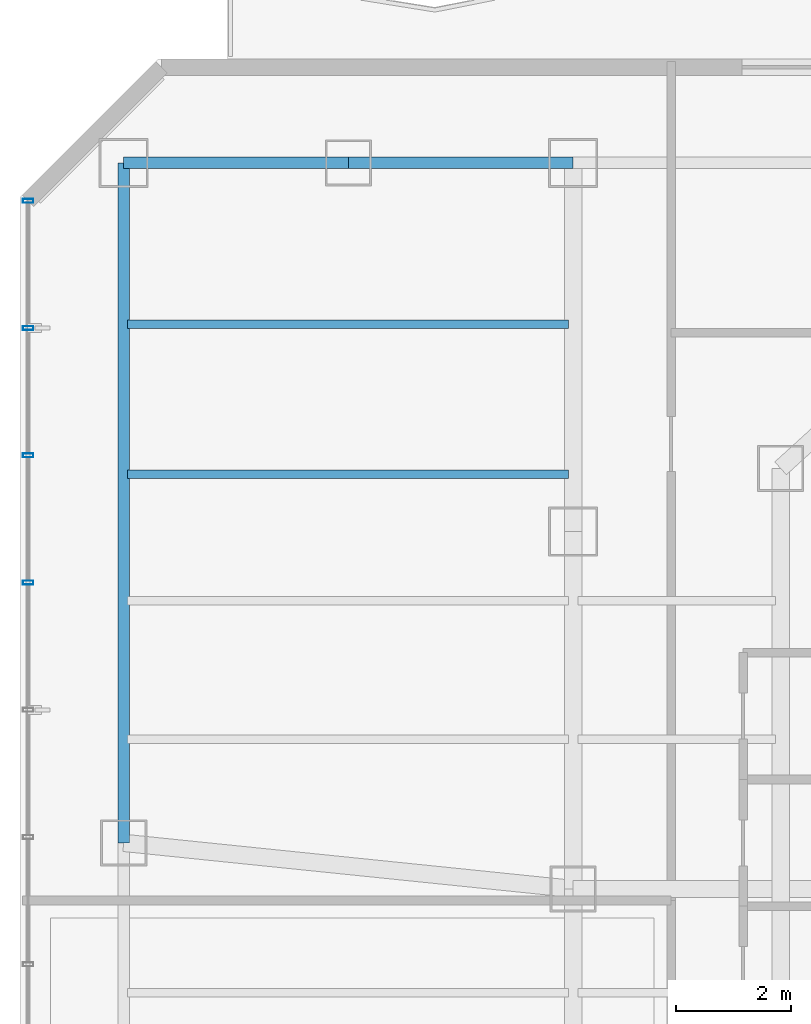
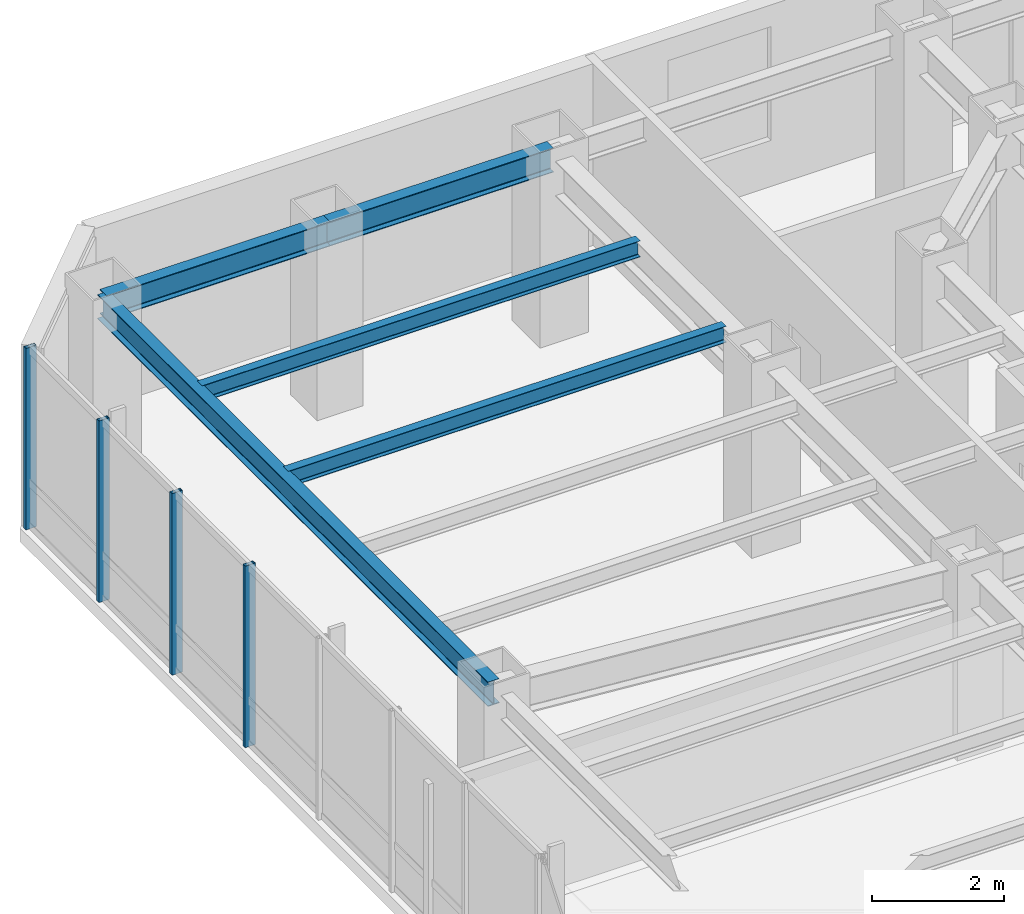
# One storey, part 17 of 28: 5 beams, 4 members, 1 element without a shape of its own.
"""IFC4 building model written with IfcOpenShell, lengths in metres."""

from ifc_helpers import new_model, si_unit, direction, frame, origin, origin_2d, place, context, subcontext, project, spatial, hollow_rectangle, i_section, extrude, material, layer, layer_set, material_profile, profile_set, type_object, element, aggregate, save


model = new_model("IFC4")

# Units and contexts
model_context = context("Model", 3, precision=1e-05, world=origin(), true_north=direction((0.0, 1.0)))
body_context = subcontext(model_context, "Body", "Model", "MODEL_VIEW")
ifc_project = project(units=[si_unit("LENGTHUNIT", "METRE"), si_unit("AREAUNIT", "SQUARE_METRE"), si_unit("VOLUMEUNIT", "CUBIC_METRE"), si_unit("PLANEANGLEUNIT", "RADIAN"), si_unit("MASSUNIT", "GRAM", prefix="KILO")], contexts=[model_context])

# Site, building, storey
site_placement = place(None, origin())
site = spatial("IfcSite", under=ifc_project, at=site_placement, CompositionType="ELEMENT")
building_placement = place(site_placement, origin())
building = spatial("IfcBuilding", under=site, at=building_placement, Name="Hatsunagi Terrace Concourse", CompositionType="ELEMENT")
storey_placement = place(building_placement, frame((0.0, 0.0, 138.449951171875)))
storey = spatial("IfcBuildingStorey", under=building, at=storey_placement, Name="L36", CompositionType="ELEMENT", Elevation=138.449951171875)

# Curtain wall, members
ifc_material_1 = material(Name="Anodised Aluminium Alloy 6063-T5", Category="aluminium")
ifc_layer = layer(ifc_material_1, 0.199951171875)
ifc_layer_set = layer_set([ifc_layer], Name="OfficeZone1_CW03")
curtain_wall_type = type_object("IfcCurtainWallType", Name="OfficeZone1_CW03", PredefinedType="NOTDEFINED", material=ifc_layer_set)
curtain_wall_placement = place(storey_placement, origin())
curtain_wall = element("IfcCurtainWall", 1, at=curtain_wall_placement, inside=storey, type_object=curtain_wall_type, Name="Unitised Curtain Wall CW-03 CW-L36-09", PredefinedType="NOTDEFINED")
ifc_material_2 = material(Name="Anodised Aluminium Alloy 6063-T5", Category="aluminium")
ifc_material_profile_1 = material_profile(ifc_material_2, hollow_rectangle(XDim=0.070068359375, YDim=0.179931640625, WallThickness=0.00390625, at=origin_2d()), Name="ALU-MUL-180x70x4")
ifc_profile_set_1 = profile_set([ifc_material_profile_1], Name="Anodised Aluminium Alloy 6063-T5")
member_type = type_object("IfcMemberType", Name="CurtainWallMullion_180x70", PredefinedType="MULLION", material=ifc_profile_set_1)
member_1_placement = place(storey_placement, frame((9.739990234375, 41.31689453125, 0.0), z_axis=(0.0, 0.0, 1.0), x_axis=(0.0, 1.0, 0.0)))
member_1 = element("IfcMember", 2, at=member_1_placement, type_object=member_type, Name="Curtain Wall Mullion MUL-02", PredefinedType="MULLION", context=body_context, shape_type="SweptSolid", body=[
    extrude(hollow_rectangle(XDim=0.070068359375, YDim=0.179931640625, WallThickness=0.00390625, at=origin_2d()), origin(), (0.0, 0.0, 1.0), 3.35009765625),
])
member_2_placement = place(storey_placement, frame((9.739990234375, 43.52490234375, 0.0), z_axis=(0.0, 0.0, 1.0), x_axis=(0.0, 1.0, 0.0)))
member_2 = element("IfcMember", 3, at=member_2_placement, type_object=member_type, Name="Curtain Wall Mullion MUL-02", PredefinedType="MULLION", context=body_context, shape_type="SweptSolid", body=[
    extrude(hollow_rectangle(XDim=0.070068359375, YDim=0.179931640625, WallThickness=0.00390625, at=origin_2d()), origin(), (0.0, 0.0, 1.0), 3.35009765625),
])
member_3_placement = place(storey_placement, frame((9.739990234375, 45.73388671875, 0.0), z_axis=(0.0, 0.0, 1.0), x_axis=(0.0, 1.0, 0.0)))
member_3 = element("IfcMember", 4, at=member_3_placement, type_object=member_type, Name="Curtain Wall Mullion MUL-02", PredefinedType="MULLION", context=body_context, shape_type="SweptSolid", body=[
    extrude(hollow_rectangle(XDim=0.070068359375, YDim=0.179931640625, WallThickness=0.00390625, at=origin_2d()), origin(), (0.0, 0.0, 1.0), 3.35009765625),
])
member_4_placement = place(storey_placement, frame((9.739990234375, 47.94189453125, 0.0), z_axis=(0.0, 0.0, 1.0), x_axis=(0.0, 1.0, 0.0)))
member_4 = element("IfcMember", 5, at=member_4_placement, type_object=member_type, Name="Curtain Wall Mullion MUL-02", PredefinedType="MULLION", context=body_context, shape_type="SweptSolid", body=[
    extrude(hollow_rectangle(XDim=0.070068359375, YDim=0.179931640625, WallThickness=0.00390625, at=origin_2d()), origin(), (0.0, 0.0, 1.0), 3.35009765625),
])
aggregate(curtain_wall, [member_1, member_2, member_3, member_4])

# Beams
ifc_material_3 = material(Name="Steel SN490B", Category="steel")
ifc_material_profile_2 = material_profile(ifc_material_3, i_section(OverallWidth=0.14990234375, OverallDepth=0.300048828125, WebThickness=0.006591796875, FlangeThickness=0.009033203125, FilletRadius=0.010986328125, at=origin_2d()), Name="H-300x150x6.5x9")
ifc_profile_set_2 = profile_set([ifc_material_profile_2], Name="Steel SN490B")
beam_type_1 = type_object("IfcBeamType", Name="OfficeJoist_H_300x150", PredefinedType="JOIST", material=ifc_profile_set_2)
for number, where, z_axis, x_axis, name in (
    (6, (11.465087890625, 43.199951171875, 3.199951171875), (1.0, 0.0, 0.0), (0.0, 1.0, 0.0), "Beam J-03 J-L36-W-11-432"),
    (7, (11.465087890625, 45.800048828125, 3.199951171875), (1.0, 0.0, 0.0), (0.0, 1.0, 0.0), "Beam J-03 J-L36-W-11-458"),
):
    element("IfcBeam", number, at=place(storey_placement, frame(where, z_axis=z_axis, x_axis=x_axis)), inside=storey, type_object=beam_type_1, Name=name, PredefinedType="JOIST", context=body_context, shape_type="SweptSolid", body=[
        extrude(i_section(OverallWidth=0.14990234375, OverallDepth=0.300048828125, WebThickness=0.006591796875, FlangeThickness=0.009033203125, FilletRadius=0.010986328125, at=origin_2d()), origin(), (0.0, 0.0, 1.0), 7.64990234375),
    ])
ifc_material_4 = material(Name="Steel SN490B", Category="steel")
ifc_material_profile_3 = material_profile(ifc_material_4, i_section(OverallWidth=0.199951171875, OverallDepth=0.449951171875, WebThickness=0.009033203125, FlangeThickness=0.013916015625, FilletRadius=0.01611328125, at=origin_2d()), Name="H-450x200x9x14")
ifc_profile_set_3 = profile_set([ifc_material_profile_3], Name="Steel SN490B")
beam_type_2 = type_object("IfcBeamType", Name="PerimeterSpandrel_H_450x200", PredefinedType="SPANDREL", material=ifc_profile_set_3)
beam_1_placement = place(storey_placement, frame((11.39990234375, 48.60009765625, 3.125), z_axis=(1.0, 0.0, 0.0), x_axis=(0.0, 1.0, 0.0)))
element("IfcBeam", 8, at=beam_1_placement, inside=storey, type_object=beam_type_2, Name="Beam SP-02 BM-L36-WN-11", PredefinedType="SPANDREL", context=body_context, shape_type="SweptSolid", body=[
    extrude(i_section(OverallWidth=0.199951171875, OverallDepth=0.449951171875, WebThickness=0.009033203125, FlangeThickness=0.013916015625, FilletRadius=0.01611328125, at=origin_2d()), origin(), (0.0, 0.0, 1.0), 3.900146484375),
])
beam_2_placement = place(storey_placement, frame((15.300048828125, 48.60009765625, 3.125), z_axis=(1.0, 0.0, 0.0), x_axis=(0.0, 1.0, 0.0)))
element("IfcBeam", 9, at=beam_2_placement, inside=storey, type_object=beam_type_2, Name="Beam SP-02 BM-L36-WN-15", PredefinedType="SPANDREL", context=body_context, shape_type="SweptSolid", body=[
    extrude(i_section(OverallWidth=0.199951171875, OverallDepth=0.449951171875, WebThickness=0.009033203125, FlangeThickness=0.013916015625, FilletRadius=0.01611328125, at=origin_2d()), origin(), (0.0, 0.0, 1.0), 3.89990234375),
])
beam_3_placement = place(storey_placement, frame((11.39990234375, 36.800048828125, 3.125), z_axis=(0.0, 1.0, 0.0), x_axis=(-1.0, 0.0, 0.0)))
element("IfcBeam", 10, at=beam_3_placement, inside=storey, type_object=beam_type_2, Name="Beam SP-02 BM-L36-NS-11-36", PredefinedType="SPANDREL", context=body_context, shape_type="SweptSolid", body=[
    extrude(i_section(OverallWidth=0.199951171875, OverallDepth=0.449951171875, WebThickness=0.009033203125, FlangeThickness=0.013916015625, FilletRadius=0.01611328125, at=origin_2d()), origin(), (0.0, 0.0, 1.0), 11.800048828125),
])

save(model, "model.ifc")
